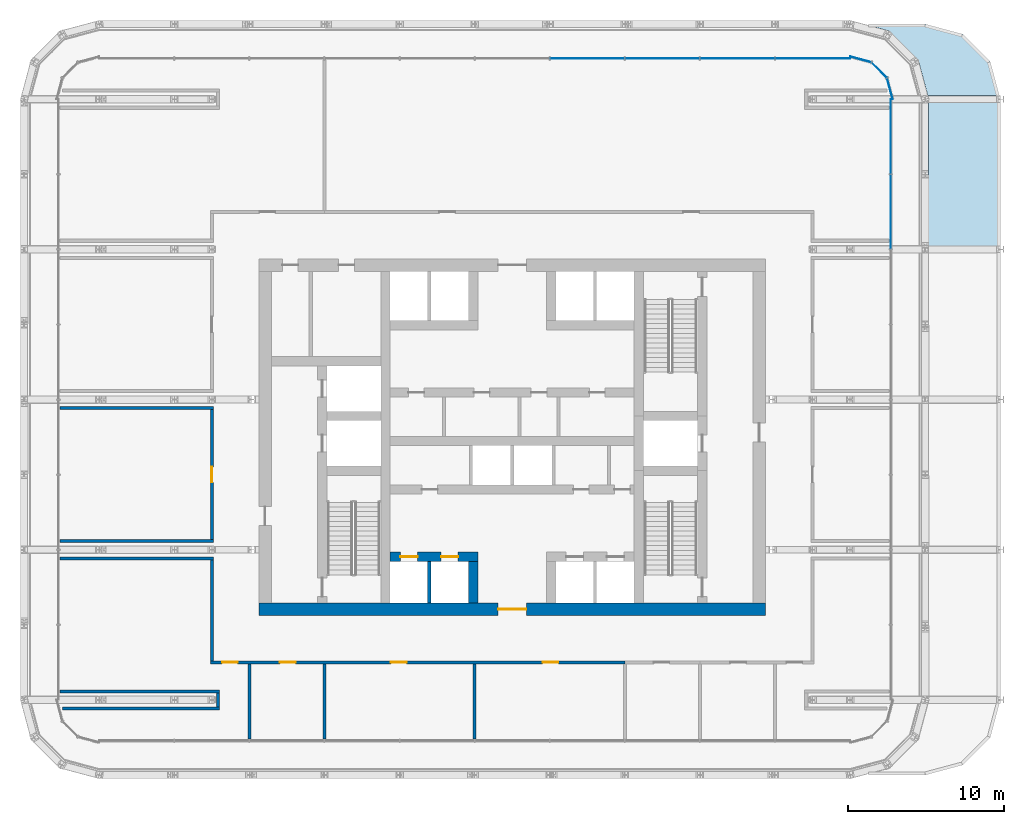
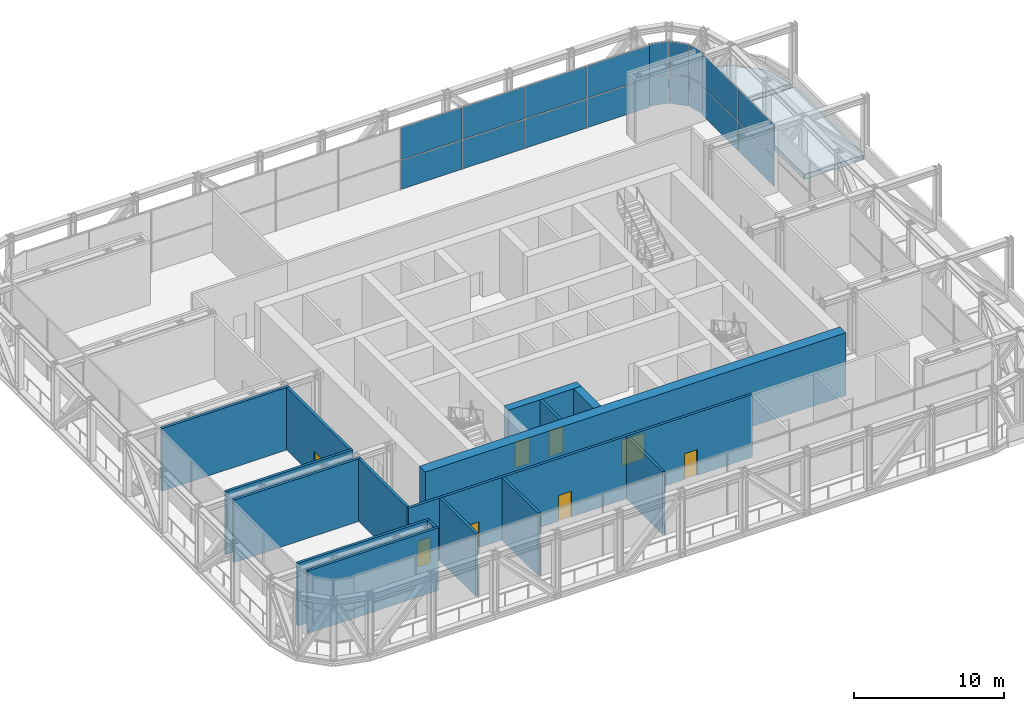
# One storey, part 16 of 25: 18 plates, 16 walls, 8 doors, 2 slabs, 8 openings, 3 elements without a shape of their own.
"""IFC4 building model written with IfcOpenShell, lengths in metres."""

from ifc_helpers import new_model, si_unit, direction, frame, frame_2d, origin, origin_2d, place, context, subcontext, project, spatial, polyline, rectangle, outline, extrude, material, layer, layer_set, type_object, element, fill, aggregate, save


model = new_model("IFC4")

# Units and contexts
model_context = context("Model", 3, precision=1e-05, world=origin(), true_north=direction((0.0, 1.0)))
body_context = subcontext(model_context, "Body", "Model", "MODEL_VIEW")
ifc_project = project(units=[si_unit("LENGTHUNIT", "METRE"), si_unit("AREAUNIT", "SQUARE_METRE"), si_unit("VOLUMEUNIT", "CUBIC_METRE"), si_unit("PLANEANGLEUNIT", "RADIAN"), si_unit("MASSUNIT", "GRAM", prefix="KILO")], contexts=[model_context])

# Site, building, storey
site_placement = place(None, origin())
site = spatial("IfcSite", under=ifc_project, at=site_placement, CompositionType="ELEMENT")
building_placement = place(site_placement, origin())
building = spatial("IfcBuilding", under=site, at=building_placement, Name="Madar Terraces", CompositionType="ELEMENT")
storey_placement = place(building_placement, frame((0.0, 0.0, 113.699951171875)))
storey = spatial("IfcBuildingStorey", under=building, at=storey_placement, Name="L29", CompositionType="ELEMENT", Elevation=113.699951171875)

# Curtain wall, plates
ifc_material_1 = material(Name="Glass, ceramic frit dark grey, with black aluminium frame", Category="aluminium")
ifc_layer_1 = layer(ifc_material_1, 0.199951171875)
ifc_layer_set_1 = layer_set([ifc_layer_1], Name="Facade curtain wall, tall glazing")
curtain_wall_type = type_object("IfcCurtainWallType", Name="Facade curtain wall, tall glazing", PredefinedType="NOTDEFINED", material=ifc_layer_set_1)
curtain_wall_1_placement = place(storey_placement, origin())
curtain_wall_1 = element("IfcCurtainWall", 1, at=curtain_wall_1_placement, inside=storey, type_object=curtain_wall_type, Name="Outer skin curtain wall east bay 1", PredefinedType="NOTDEFINED")
ifc_material_2 = material(Name="Glass, ceramic frit dark grey", Category="glass")
ifc_layer_2 = layer(ifc_material_2, 0.028076171875)
ifc_layer_set_2 = layer_set([ifc_layer_2], Name="Facade glass panel 28")
plate_type = type_object("IfcPlateType", Name="Facade glass panel 28", PredefinedType="CURTAIN_PANEL", material=ifc_layer_set_2)
plate_1_placement = place(storey_placement, frame((55.39990234375, 40.800048828125, 0.0), z_axis=(0.0, 0.0, 1.0), x_axis=(0.0, 1.0, 0.0)))
plate_1 = element("IfcPlate", 2, at=plate_1_placement, type_object=plate_type, Name="Panel 13", PredefinedType="CURTAIN_PANEL", context=body_context, shape_type="SweptSolid", body=[
    extrude(rectangle(XDim=4.739990234375, YDim=0.028076171875, at=origin_2d()), origin(), (0.0, 0.0, 1.0), 2.3701171875),
])
plate_2_placement = place(storey_placement, frame((55.39990234375, 40.800048828125, 2.43017578125), z_axis=(0.0, 0.0, 1.0), x_axis=(0.0, 1.0, 0.0)))
plate_2 = element("IfcPlate", 3, at=plate_2_placement, type_object=plate_type, Name="Panel 14", PredefinedType="CURTAIN_PANEL", context=body_context, shape_type="SweptSolid", body=[
    extrude(rectangle(XDim=4.739990234375, YDim=0.028076171875, at=origin_2d()), origin(), (0.0, 0.0, 1.0), 2.610107421875),
])
plate_3_placement = place(storey_placement, frame((55.39990234375, 45.614990234375, 0.0), z_axis=(0.0, 0.0, 1.0), x_axis=(0.0, 1.0, 0.0)))
plate_3 = element("IfcPlate", 4, at=plate_3_placement, type_object=plate_type, Name="Panel 15", PredefinedType="CURTAIN_PANEL", context=body_context, shape_type="SweptSolid", body=[
    extrude(rectangle(XDim=4.77001953125, YDim=0.028076171875, at=origin_2d()), origin(), (0.0, 0.0, 1.0), 2.3701171875),
])
plate_4_placement = place(storey_placement, frame((55.39990234375, 45.614990234375, 2.43017578125), z_axis=(0.0, 0.0, 1.0), x_axis=(0.0, 1.0, 0.0)))
plate_4 = element("IfcPlate", 5, at=plate_4_placement, type_object=plate_type, Name="Panel 16", PredefinedType="CURTAIN_PANEL", context=body_context, shape_type="SweptSolid", body=[
    extrude(rectangle(XDim=4.77001953125, YDim=0.028076171875, at=origin_2d()), origin(), (0.0, 0.0, 1.0), 2.610107421875),
])
aggregate(curtain_wall_1, [plate_1, plate_2, plate_3, plate_4])

curtain_wall_2_placement = place(storey_placement, origin())
curtain_wall_2 = element("IfcCurtainWall", 6, at=curtain_wall_2_placement, inside=storey, type_object=curtain_wall_type, Name="Outer skin curtain wall north bay 1", PredefinedType="NOTDEFINED")
plate_5_placement = place(storey_placement, frame((50.4150390625, 50.60009765625, 0.0), z_axis=(0.0, 0.0, 1.0), x_axis=(-1.0, 0.0, 0.0)))
plate_5 = element("IfcPlate", 7, at=plate_5_placement, type_object=plate_type, Name="Panel 1", PredefinedType="CURTAIN_PANEL", context=body_context, shape_type="SweptSolid", body=[
    extrude(rectangle(XDim=4.77001953125, YDim=0.028076171875, at=origin_2d()), origin(), (0.0, 0.0, 1.0), 2.3701171875),
])
plate_6_placement = place(storey_placement, frame((50.4150390625, 50.60009765625, 2.43017578125), z_axis=(0.0, 0.0, 1.0), x_axis=(-1.0, 0.0, 0.0)))
plate_6 = element("IfcPlate", 8, at=plate_6_placement, type_object=plate_type, Name="Panel 2", PredefinedType="CURTAIN_PANEL", context=body_context, shape_type="SweptSolid", body=[
    extrude(rectangle(XDim=4.77001953125, YDim=0.028076171875, at=origin_2d()), origin(), (0.0, 0.0, 1.0), 2.610107421875),
])
plate_7_placement = place(storey_placement, frame((45.60009765625, 50.60009765625, 0.0), z_axis=(0.0, 0.0, 1.0), x_axis=(-1.0, 0.0, 0.0)))
plate_7 = element("IfcPlate", 9, at=plate_7_placement, type_object=plate_type, Name="Panel 3", PredefinedType="CURTAIN_PANEL", context=body_context, shape_type="SweptSolid", body=[
    extrude(rectangle(XDim=4.739990234375, YDim=0.028076171875, at=origin_2d()), origin(), (0.0, 0.0, 1.0), 2.3701171875),
])
plate_8_placement = place(storey_placement, frame((45.60009765625, 50.60009765625, 2.43017578125), z_axis=(0.0, 0.0, 1.0), x_axis=(-1.0, 0.0, 0.0)))
plate_8 = element("IfcPlate", 10, at=plate_8_placement, type_object=plate_type, Name="Panel 4", PredefinedType="CURTAIN_PANEL", context=body_context, shape_type="SweptSolid", body=[
    extrude(rectangle(XDim=4.739990234375, YDim=0.028076171875, at=origin_2d()), origin(), (0.0, 0.0, 1.0), 2.610107421875),
])
plate_9_placement = place(storey_placement, frame((40.800048828125, 50.60009765625, 0.0), z_axis=(0.0, 0.0, 1.0), x_axis=(-1.0, 0.0, 0.0)))
plate_9 = element("IfcPlate", 11, at=plate_9_placement, type_object=plate_type, Name="Panel 5", PredefinedType="CURTAIN_PANEL", context=body_context, shape_type="SweptSolid", body=[
    extrude(rectangle(XDim=4.739990234375, YDim=0.028076171875, at=origin_2d()), origin(), (0.0, 0.0, 1.0), 2.3701171875),
])
plate_10_placement = place(storey_placement, frame((40.800048828125, 50.60009765625, 2.43017578125), z_axis=(0.0, 0.0, 1.0), x_axis=(-1.0, 0.0, 0.0)))
plate_10 = element("IfcPlate", 12, at=plate_10_placement, type_object=plate_type, Name="Panel 6", PredefinedType="CURTAIN_PANEL", context=body_context, shape_type="SweptSolid", body=[
    extrude(rectangle(XDim=4.739990234375, YDim=0.028076171875, at=origin_2d()), origin(), (0.0, 0.0, 1.0), 2.610107421875),
])
plate_11_placement = place(storey_placement, frame((36.0, 50.60009765625, 0.0), z_axis=(0.0, 0.0, 1.0), x_axis=(-1.0, 0.0, 0.0)))
plate_11 = element("IfcPlate", 13, at=plate_11_placement, type_object=plate_type, Name="Panel 7", PredefinedType="CURTAIN_PANEL", context=body_context, shape_type="SweptSolid", body=[
    extrude(rectangle(XDim=4.739990234375, YDim=0.028076171875, at=origin_2d()), origin(), (0.0, 0.0, 1.0), 2.3701171875),
])
plate_12_placement = place(storey_placement, frame((36.0, 50.60009765625, 2.43017578125), z_axis=(0.0, 0.0, 1.0), x_axis=(-1.0, 0.0, 0.0)))
plate_12 = element("IfcPlate", 14, at=plate_12_placement, type_object=plate_type, Name="Panel 8", PredefinedType="CURTAIN_PANEL", context=body_context, shape_type="SweptSolid", body=[
    extrude(rectangle(XDim=4.739990234375, YDim=0.028076171875, at=origin_2d()), origin(), (0.0, 0.0, 1.0), 2.610107421875),
])
aggregate(curtain_wall_2, [plate_5, plate_6, plate_7, plate_8, plate_9, plate_10, plate_11, plate_12])

curtain_wall_3_placement = place(storey_placement, origin())
curtain_wall_3 = element("IfcCurtainWall", 15, at=curtain_wall_3_placement, inside=storey, type_object=curtain_wall_type, Name="Outer skin curtain wall north-east corner", PredefinedType="NOTDEFINED")
plate_13_placement = place(storey_placement, frame((55.341796875, 48.66552734375, 0.0), z_axis=(0.0, 0.0, 1.0), x_axis=(-0.258819110244, 0.965925808834, 0.0)))
plate_13 = element("IfcPlate", 16, at=plate_13_placement, type_object=plate_type, Name="Panel 1", PredefinedType="CURTAIN_PANEL", context=body_context, shape_type="SweptSolid", body=[
    extrude(rectangle(XDim=1.3779296875, YDim=0.028076171875, at=origin_2d()), origin(), (0.0, 0.0, 1.0), 2.3701171875),
])
plate_14_placement = place(storey_placement, frame((55.341796875, 48.66552734375, 2.43017578125), z_axis=(0.0, 0.0, 1.0), x_axis=(-0.258819110244, 0.965925808834, 0.0)))
plate_14 = element("IfcPlate", 17, at=plate_14_placement, type_object=plate_type, Name="Panel 2", PredefinedType="CURTAIN_PANEL", context=body_context, shape_type="SweptSolid", body=[
    extrude(rectangle(XDim=1.3779296875, YDim=0.028076171875, at=origin_2d()), origin(), (0.0, 0.0, 1.0), 2.610107421875),
])
plate_15_placement = place(storey_placement, frame((54.65771484375, 49.85791015625, 0.0), z_axis=(0.0, 0.0, 1.0), x_axis=(-0.707106781187, 0.707106781187, 0.0)))
plate_15 = element("IfcPlate", 18, at=plate_15_placement, type_object=plate_type, Name="Panel 3", PredefinedType="CURTAIN_PANEL", context=body_context, shape_type="SweptSolid", body=[
    extrude(rectangle(XDim=1.347900390625, YDim=0.028076171875, at=origin_2d()), origin(), (0.0, 0.0, 1.0), 2.3701171875),
])
plate_16_placement = place(storey_placement, frame((54.65771484375, 49.85791015625, 2.43017578125), z_axis=(0.0, 0.0, 1.0), x_axis=(-0.707106781187, 0.707106781187, 0.0)))
plate_16 = element("IfcPlate", 19, at=plate_16_placement, type_object=plate_type, Name="Panel 4", PredefinedType="CURTAIN_PANEL", context=body_context, shape_type="SweptSolid", body=[
    extrude(rectangle(XDim=1.347900390625, YDim=0.028076171875, at=origin_2d()), origin(), (0.0, 0.0, 1.0), 2.610107421875),
])
plate_17_placement = place(storey_placement, frame((53.465576171875, 50.541748046875, 0.0), z_axis=(0.0, 0.0, 1.0), x_axis=(-0.965925808834, 0.258819110244, 0.0)))
plate_17 = element("IfcPlate", 20, at=plate_17_placement, type_object=plate_type, Name="Panel 5", PredefinedType="CURTAIN_PANEL", context=body_context, shape_type="SweptSolid", body=[
    extrude(rectangle(XDim=1.3779296875, YDim=0.028076171875, at=origin_2d()), origin(), (0.0, 0.0, 1.0), 2.3701171875),
])
plate_18_placement = place(storey_placement, frame((53.465576171875, 50.541748046875, 2.43017578125), z_axis=(0.0, 0.0, 1.0), x_axis=(-0.965925808834, 0.258819110244, 0.0)))
plate_18 = element("IfcPlate", 21, at=plate_18_placement, type_object=plate_type, Name="Panel 6", PredefinedType="CURTAIN_PANEL", context=body_context, shape_type="SweptSolid", body=[
    extrude(rectangle(XDim=1.3779296875, YDim=0.028076171875, at=origin_2d()), origin(), (0.0, 0.0, 1.0), 2.610107421875),
])
aggregate(curtain_wall_3, [plate_13, plate_14, plate_15, plate_16, plate_17, plate_18])

# Slabs
ifc_material_3 = material(Name="Concrete C50/60", Category="concrete")
ifc_layer_3 = layer(ifc_material_3, 0.39990234375)
ifc_layer_set_3 = layer_set([ifc_layer_3], Name="TS1 PT terrace slab 400")
slab_type = type_object("IfcSlabType", Name="TS1 PT terrace slab 400", PredefinedType="FLOOR", material=ifc_layer_set_3)
slab_1_placement = place(storey_placement, frame((0.0, 0.0, -0.39990234375)))
element("IfcSlab", 22, at=slab_1_placement, inside=storey, type_object=slab_type, Name="Terrace roof slab L29 (2)", PredefinedType="FLOOR", context=body_context, shape_type="SweptSolid", body=[
    extrude(outline(polyline([(54.020751953125, 52.70166015625), (55.313232421875, 52.35546875), (55.314453125, 52.35498046875), (55.3154296875, 52.35400390625), (57.154052734375, 50.515380859375), (57.155029296875, 50.514404296875), (57.1552734375, 50.51318359375), (57.759521484375, 48.258056640625), (57.76123046875, 48.253173828125), (57.76318359375, 48.24853515625), (57.765625, 48.244140625), (57.7685546875, 48.240234375), (57.77197265625, 48.236328125), (57.775634765625, 48.23291015625), (57.779541015625, 48.229736328125), (57.78369140625, 48.227294921875), (57.788330078125, 48.22509765625), (57.79296875, 48.22314453125), (57.7978515625, 48.221923828125), (57.802978515625, 48.22119140625), (57.807861328125, 48.220947265625), (62.275634765625, 48.220947265625), (62.280517578125, 48.22119140625), (62.28515625, 48.221923828125), (62.289794921875, 48.22314453125), (62.29443359375, 48.224609375), (62.298828125, 48.2265625), (62.302978515625, 48.22900390625), (62.306884765625, 48.23193359375), (62.310546875, 48.235107421875), (62.313720703125, 48.23876953125), (62.316650390625, 48.242431640625), (62.3193359375, 48.24658203125), (62.321533203125, 48.2509765625), (62.3232421875, 48.25537109375), (62.324462890625, 48.260009765625), (62.3251953125, 48.264892578125), (62.32568359375, 48.26953125), (62.325439453125, 48.2744140625), (62.324951171875, 48.279296875), (62.323974609375, 48.283935546875), (61.760498046875, 50.386962890625), (61.7587890625, 50.39208984375), (61.756591796875, 50.396728515625), (61.75390625, 50.4013671875), (61.7509765625, 50.405517578125), (61.74755859375, 50.409423828125), (60.009521484375, 52.1474609375), (60.005615234375, 52.15087890625), (60.00146484375, 52.154052734375), (59.996826171875, 52.15673828125), (59.991943359375, 52.15869140625), (59.987060546875, 52.160400390625), (57.6064453125, 52.79833984375), (57.60205078125, 52.79931640625), (57.59765625, 52.7998046875), (57.593505859375, 52.800048828125), (54.03369140625, 52.800048828125), (54.028564453125, 52.7998046875), (54.023681640625, 52.799072265625), (54.018798828125, 52.7978515625), (54.01416015625, 52.796142578125), (54.009765625, 52.7939453125), (54.005615234375, 52.79150390625), (54.00146484375, 52.788330078125), (53.997802734375, 52.78515625), (53.99462890625, 52.78125), (53.99169921875, 52.77734375), (53.9892578125, 52.77294921875), (53.987060546875, 52.7685546875), (53.985595703125, 52.763916015625), (53.984375, 52.759033203125), (53.983642578125, 52.754150390625), (53.983642578125, 52.7490234375), (53.98388671875, 52.744140625), (53.98486328125, 52.7392578125), (53.986083984375, 52.734375), (53.98779296875, 52.729736328125), (53.989990234375, 52.725341796875), (53.99267578125, 52.72119140625), (53.995849609375, 52.71728515625), (53.999267578125, 52.713623046875), (54.0029296875, 52.71044921875), (54.007080078125, 52.70751953125), (54.011474609375, 52.705322265625), (54.015869140625, 52.703125), (54.020751953125, 52.70166015625)])), origin(), (0.0, 0.0, 1.0), 0.39990234375),
])
slab_2_placement = place(storey_placement, frame((0.0, 0.0, -0.39990234375)))
element("IfcSlab", 23, at=slab_2_placement, inside=storey, type_object=slab_type, Name="Terrace roof slab L29 (6)", PredefinedType="FLOOR", context=body_context, shape_type="SweptSolid", body=[
    extrude(outline(polyline([(62.39892578125, 38.6611328125), (62.399658203125, 38.666015625), (62.39990234375, 38.6708984375), (62.39990234375, 47.72900390625), (62.399658203125, 47.73388671875), (62.39892578125, 47.73876953125), (62.39794921875, 47.74365234375), (62.396240234375, 47.748046875), (62.39404296875, 47.752685546875), (62.3916015625, 47.7568359375), (62.388671875, 47.7607421875), (62.38525390625, 47.764404296875), (62.3818359375, 47.767578125), (62.377685546875, 47.7705078125), (62.37353515625, 47.773193359375), (62.369140625, 47.775146484375), (62.364501953125, 47.77685546875), (62.35986328125, 47.778076171875), (62.35498046875, 47.77880859375), (62.35009765625, 47.779052734375), (57.87109375, 47.779052734375), (57.865966796875, 47.77880859375), (57.861328125, 47.778076171875), (57.8564453125, 47.77685546875), (57.851806640625, 47.775146484375), (57.847412109375, 47.773193359375), (57.84326171875, 47.7705078125), (57.83935546875, 47.767578125), (57.835693359375, 47.764404296875), (57.832275390625, 47.7607421875), (57.829345703125, 47.7568359375), (57.826904296875, 47.752685546875), (57.82470703125, 47.748046875), (57.8232421875, 47.74365234375), (57.822021484375, 47.73876953125), (57.8212890625, 47.73388671875), (57.821044921875, 47.72900390625), (57.821044921875, 38.6708984375), (57.8212890625, 38.666015625), (57.822021484375, 38.6611328125), (57.8232421875, 38.656494140625), (57.82470703125, 38.65185546875), (57.826904296875, 38.6474609375), (57.829345703125, 38.643310546875), (57.832275390625, 38.63916015625), (57.835693359375, 38.6357421875), (57.83935546875, 38.63232421875), (57.84326171875, 38.62939453125), (57.847412109375, 38.626953125), (57.851806640625, 38.624755859375), (57.8564453125, 38.623046875), (57.861328125, 38.621826171875), (57.865966796875, 38.621337890625), (57.87109375, 38.62109375), (62.35009765625, 38.62109375), (62.35498046875, 38.621337890625), (62.35986328125, 38.621826171875), (62.364501953125, 38.623046875), (62.369140625, 38.624755859375), (62.37353515625, 38.626953125), (62.377685546875, 38.62939453125), (62.3818359375, 38.63232421875), (62.38525390625, 38.6357421875), (62.388671875, 38.63916015625), (62.3916015625, 38.643310546875), (62.39404296875, 38.6474609375), (62.396240234375, 38.65185546875), (62.39794921875, 38.656494140625), (62.39892578125, 38.6611328125)])), origin(), (0.0, 0.0, 1.0), 0.39990234375),
])

# Wall, openings, doors
ifc_material_4 = material(Name="Concrete C70/85", Category="concrete")
ifc_layer_4 = layer(ifc_material_4, 0.60009765625)
ifc_layer_set_4 = layer_set([ifc_layer_4], Name="Concrete C70/85 (CIW3 RC wall 600)")
wall_type_1 = type_object("IfcWallType", Name="CIW3 RC wall 600", PredefinedType="SHEAR", material=ifc_layer_set_4)
wall_1_placement = place(storey_placement, frame((23.39990234375, 18.75, 0.0), z_axis=(0.0, 0.0, 1.0), x_axis=(1.0, 0.0, 0.0)))
wall_1 = element("IfcWall", 24, at=wall_1_placement, inside=storey, type_object=wall_type_1, Name="CORE SHAFT WALL", PredefinedType="SHEAR", context=body_context, shape_type="SweptSolid", body=[
    extrude(rectangle(XDim=5.60009765625, YDim=0.60009765625, at=frame_2d((2.800048828125, 0.0))), origin(), (0.0, 0.0, 1.0), 5.10009765625),
])
opening_1_placement = place(wall_1_placement, frame((0.64990234375, 0.0, 0.0)))
opening_1 = element("IfcOpeningElement", 25, at=opening_1_placement, cuts=wall_1, Name="Opening LD", PredefinedType="OPENING", context=body_context, shape_type="SweptSolid", body=[
    extrude(rectangle(XDim=1.10009765625, YDim=2.10009765625, at=frame_2d((0.550048828125, 1.050048828125))), frame((0.0, 0.31005859375, 0.0), z_axis=(0.0, -1.0, 0.0), x_axis=(1.0, 0.0, 0.0)), (0.0, 0.0, 1.0), 0.6201171875),
])
opening_2_placement = place(wall_1_placement, frame((3.25, 0.0, 0.0)))
opening_2 = element("IfcOpeningElement", 26, at=opening_2_placement, cuts=wall_1, Name="Opening LD", PredefinedType="OPENING", context=body_context, shape_type="SweptSolid", body=[
    extrude(rectangle(XDim=1.10009765625, YDim=2.10009765625, at=frame_2d((0.550048828125, 1.050048828125))), frame((0.0, 0.31005859375, 0.0), z_axis=(0.0, -1.0, 0.0), x_axis=(1.0, 0.0, 0.0)), (0.0, 0.0, 1.0), 0.6201171875),
])
ifc_material_5 = material(Name="Stainless steel panel", Category="steel")
door_type_1 = type_object("IfcDoorType", Name="Lift landing door 1100 x 2100", OperationType="DOUBLE_DOOR_SLIDING", PredefinedType="DOOR", material=ifc_material_5)
door_1_placement = place(opening_1_placement, origin())
door_1 = element("IfcDoor", 27, at=door_1_placement, inside=storey, type_object=door_type_1, Name="LIFT LANDING DOOR", OperationType="DOUBLE_DOOR_SLIDING", OverallHeight=2.10009765625, OverallWidth=1.10009765625, PredefinedType="DOOR", context=body_context, shape_type="SweptSolid", body=[
    extrude(rectangle(XDim=1.10009765625, YDim=2.10009765625, at=frame_2d((0.550048828125, 1.050048828125))), frame((0.0, 0.02490234375, 0.0), z_axis=(0.0, -1.0, 0.0), x_axis=(1.0, 0.0, 0.0)), (0.0, 0.0, 1.0), 0.050048828125),
])
fill(opening_1, door_1)
door_2_placement = place(opening_2_placement, origin())
door_2 = element("IfcDoor", 28, at=door_2_placement, inside=storey, type_object=door_type_1, Name="LIFT LANDING DOOR", OperationType="DOUBLE_DOOR_SLIDING", OverallHeight=2.10009765625, OverallWidth=1.10009765625, PredefinedType="DOOR", context=body_context, shape_type="SweptSolid", body=[
    extrude(rectangle(XDim=1.10009765625, YDim=2.10009765625, at=frame_2d((0.550048828125, 1.050048828125))), frame((0.0, 0.02490234375, 0.0), z_axis=(0.0, -1.0, 0.0), x_axis=(1.0, 0.0, 0.0)), (0.0, 0.0, 1.0), 0.050048828125),
])
fill(opening_2, door_2)

# Wall
wall_2_placement = place(storey_placement, frame((28.699951171875, 15.800048828125, 0.0), z_axis=(0.0, 0.0, 1.0), x_axis=(0.0, 1.0, 0.0)))
element("IfcWall", 29, at=wall_2_placement, inside=storey, type_object=wall_type_1, Name="CORE SHAFT WALL", PredefinedType="SHEAR", context=body_context, shape_type="SweptSolid", body=[
    extrude(rectangle(XDim=2.64990234375, YDim=0.60009765625, at=frame_2d((1.324951171875, 0.0))), origin(), (0.0, 0.0, 1.0), 5.10009765625),
])

# Wall, opening, door
ifc_material_6 = material(Name="Concrete C70/85", Category="concrete")
ifc_layer_5 = layer(ifc_material_6, 0.800048828125)
ifc_layer_set_5 = layer_set([ifc_layer_5], Name="Concrete C70/85 (CRW3 RC wall 800)")
wall_type_2 = type_object("IfcWallType", Name="CRW3 RC wall 800", PredefinedType="SHEAR", material=ifc_layer_set_5)
wall_3_placement = place(storey_placement, frame((15.0, 15.39990234375, 0.0), z_axis=(0.0, 0.0, 1.0), x_axis=(1.0, 0.0, 0.0)))
wall_3 = element("IfcWall", 30, at=wall_3_placement, inside=storey, type_object=wall_type_2, Name="CORE OUTER WALL", PredefinedType="SHEAR", context=body_context, shape_type="SweptSolid", body=[
    extrude(rectangle(XDim=32.39990234375, YDim=0.800048828125, at=frame_2d((16.199951171875, 0.0))), origin(), (0.0, 0.0, 1.0), 5.10009765625),
])
opening_3_placement = place(wall_3_placement, frame((15.300048828125, 0.0, 0.0)))
opening_3 = element("IfcOpeningElement", 31, at=opening_3_placement, cuts=wall_3, Name="Opening KD1", PredefinedType="OPENING", context=body_context, shape_type="SweptSolid", body=[
    extrude(rectangle(XDim=1.800048828125, YDim=2.10009765625, at=frame_2d((0.89990234375, 1.050048828125))), frame((0.0, 0.409912109375, 0.0), z_axis=(0.0, -1.0, 0.0), x_axis=(1.0, 0.0, 0.0)), (0.0, 0.0, 1.0), 0.820068359375),
])
ifc_material_7 = material(Name="Steel door leaf", Category="steel")
door_type_2 = type_object("IfcDoorType", Name="Lobby door pair 1800 x 2100", OperationType="DOUBLE_DOOR_SINGLE_SWING", PredefinedType="DOOR", material=ifc_material_7)
door_3_placement = place(opening_3_placement, frame((1.800048828125, 0.0, 0.0), z_axis=(0.0, 0.0, 1.0), x_axis=(-1.0, 0.0, 0.0)))
door_3 = element("IfcDoor", 32, at=door_3_placement, inside=storey, type_object=door_type_2, Name="LIFT LOBBY DOOR", OperationType="DOUBLE_DOOR_SINGLE_SWING", OverallHeight=2.10009765625, OverallWidth=1.800048828125, PredefinedType="DOOR", context=body_context, shape_type="SweptSolid", body=[
    extrude(rectangle(XDim=1.800048828125, YDim=2.10009765625, at=frame_2d((0.89990234375, 1.050048828125))), frame((0.0, 0.02490234375, 0.0), z_axis=(0.0, -1.0, 0.0), x_axis=(1.0, 0.0, 0.0)), (0.0, 0.0, 1.0), 0.050048828125),
])
fill(opening_3, door_3)

# Walls
ifc_material_8 = material(Name="Concrete C40/50", Category="concrete")
ifc_layer_6 = layer(ifc_material_8, 0.199951171875)
ifc_layer_set_6 = layer_set([ifc_layer_6], Name="Core shaft dividing wall 200 C40/50")
wall_type_3 = type_object("IfcWallType", Name="Core shaft dividing wall 200 C40/50", PredefinedType="SOLIDWALL", material=ifc_layer_set_6)
wall_4_placement = place(storey_placement, frame((25.89990234375, 15.800048828125, 0.0), z_axis=(0.0, 0.0, 1.0), x_axis=(0.0, 1.0, 0.0)))
element("IfcWall", 33, at=wall_4_placement, inside=storey, type_object=wall_type_3, Name="SHAFT DIVIDING WALL", PredefinedType="SOLIDWALL", context=body_context, shape_type="SweptSolid", body=[
    extrude(rectangle(XDim=2.64990234375, YDim=0.199951171875, at=frame_2d((1.324951171875, 0.0))), origin(), (0.0, 0.0, 1.0), 5.10009765625),
])
ifc_material_9 = material(Name="Blockwork", Category="masonry")
ifc_layer_7 = layer(ifc_material_9, 0.199951171875)
ifc_layer_set_7 = layer_set([ifc_layer_7], Name="Partition 200 EI 120")
wall_type_4 = type_object("IfcWallType", Name="Partition 200 EI 120", PredefinedType="PARTITIONING", material=ifc_layer_set_7)
wall_5_placement = place(storey_placement, frame((2.449951171875, 9.050048828125, 0.0), z_axis=(0.0, 0.0, 1.0), x_axis=(1.0, 0.0, 0.0)))
element("IfcWall", 34, at=wall_5_placement, inside=storey, type_object=wall_type_4, Name="Wall VENTILATION PLANT ROOM / TRUSS SLOT", PredefinedType="PARTITIONING", context=body_context, shape_type="SweptSolid", body=[
    extrude(rectangle(XDim=10.050048828125, YDim=0.199951171875, at=frame_2d((5.02490234375, 0.0))), origin(), (0.0, 0.0, 1.0), 5.10009765625),
])
wall_6_placement = place(storey_placement, frame((2.300048828125, 10.14990234375, 0.0), z_axis=(0.0, 0.0, 1.0), x_axis=(1.0, 0.0, 0.0)))
element("IfcWall", 35, at=wall_6_placement, inside=storey, type_object=wall_type_4, Name="Wall VENTILATION PLANT ROOM / TRUSS SLOT", PredefinedType="PARTITIONING", context=body_context, shape_type="SweptSolid", body=[
    extrude(rectangle(XDim=10.199951171875, YDim=0.199951171875, at=frame_2d((5.10009765625, 0.0))), origin(), (0.0, 0.0, 1.0), 5.10009765625),
])

# Wall, openings, doors
wall_7_placement = place(storey_placement, frame((38.39990234375, 12.0, 0.0), z_axis=(0.0, 0.0, 1.0), x_axis=(-1.0, 0.0, 0.0)))
wall_7 = element("IfcWall", 36, at=wall_7_placement, inside=storey, type_object=wall_type_4, Name="Wall FIRE WATER TANK ROOM + PUMP PLANT ROOM", PredefinedType="PARTITIONING", context=body_context, shape_type="SweptSolid", body=[
    extrude(rectangle(XDim=26.5, YDim=0.199951171875, at=frame_2d((13.25, 0.0))), origin(), (0.0, 0.0, 1.0), 5.10009765625),
])
opening_4_placement = place(wall_7_placement, frame((24.75, 0.0, 0.0)))
opening_4 = element("IfcOpeningElement", 37, at=opening_4_placement, cuts=wall_7, Name="Opening D33", PredefinedType="OPENING", context=body_context, shape_type="SweptSolid", body=[
    extrude(rectangle(XDim=1.0, YDim=2.10009765625, at=frame_2d((0.5, 1.050048828125))), frame((0.0, 0.10986328125, 0.0), z_axis=(0.0, -1.0, 0.0), x_axis=(1.0, 0.0, 0.0)), (0.0, 0.0, 1.0), 0.219970703125),
])
opening_5_placement = place(wall_7_placement, frame((21.050048828125, 0.0, 0.0)))
opening_5 = element("IfcOpeningElement", 38, at=opening_5_placement, cuts=wall_7, Name="Opening D33", PredefinedType="OPENING", context=body_context, shape_type="SweptSolid", body=[
    extrude(rectangle(XDim=1.0, YDim=2.10009765625, at=frame_2d((0.5, 1.050048828125))), frame((0.0, 0.10986328125, 0.0), z_axis=(0.0, -1.0, 0.0), x_axis=(1.0, 0.0, 0.0)), (0.0, 0.0, 1.0), 0.219970703125),
])
opening_6_placement = place(wall_7_placement, frame((13.949951171875, 0.0, 0.0)))
opening_6 = element("IfcOpeningElement", 39, at=opening_6_placement, cuts=wall_7, Name="Opening D33", PredefinedType="OPENING", context=body_context, shape_type="SweptSolid", body=[
    extrude(rectangle(XDim=1.0, YDim=2.10009765625, at=frame_2d((0.5, 1.050048828125))), frame((0.0, 0.10986328125, 0.0), z_axis=(0.0, -1.0, 0.0), x_axis=(1.0, 0.0, 0.0)), (0.0, 0.0, 1.0), 0.219970703125),
])
opening_7_placement = place(wall_7_placement, frame((4.25, 0.0, 0.0)))
opening_7 = element("IfcOpeningElement", 40, at=opening_7_placement, cuts=wall_7, Name="Opening D33", PredefinedType="OPENING", context=body_context, shape_type="SweptSolid", body=[
    extrude(rectangle(XDim=1.0, YDim=2.10009765625, at=frame_2d((0.5, 1.050048828125))), frame((0.0, 0.10986328125, 0.0), z_axis=(0.0, -1.0, 0.0), x_axis=(1.0, 0.0, 0.0)), (0.0, 0.0, 1.0), 0.219970703125),
])
ifc_material_10 = material(Name="Timber door leaf, fire-rated", Category="wood")
door_type_3 = type_object("IfcDoorType", Name="Podium door 1000 x 2100 FD90S", OperationType="NOTDEFINED", PredefinedType="DOOR", material=ifc_material_10)
door_4_placement = place(opening_4_placement, origin())
door_4 = element("IfcDoor", 41, at=door_4_placement, inside=storey, type_object=door_type_3, Name="Door VENTILATION PLANT ROOM / RING CORRIDOR", OperationType="SINGLE_SWING_LEFT", OverallHeight=2.10009765625, OverallWidth=1.0, PredefinedType="DOOR", context=body_context, shape_type="SweptSolid", body=[
    extrude(rectangle(XDim=1.0, YDim=2.10009765625, at=frame_2d((0.5, 1.050048828125))), frame((0.0, 0.02490234375, 0.0), z_axis=(0.0, -1.0, 0.0), x_axis=(1.0, 0.0, 0.0)), (0.0, 0.0, 1.0), 0.050048828125),
])
fill(opening_4, door_4)
door_5_placement = place(opening_5_placement, origin())
door_5 = element("IfcDoor", 42, at=door_5_placement, inside=storey, type_object=door_type_3, Name="Door STORE PLANT ROOM / RING CORRIDOR", OperationType="SINGLE_SWING_LEFT", OverallHeight=2.10009765625, OverallWidth=1.0, PredefinedType="DOOR", context=body_context, shape_type="SweptSolid", body=[
    extrude(rectangle(XDim=1.0, YDim=2.10009765625, at=frame_2d((0.5, 1.050048828125))), frame((0.0, 0.02490234375, 0.0), z_axis=(0.0, -1.0, 0.0), x_axis=(1.0, 0.0, 0.0)), (0.0, 0.0, 1.0), 0.050048828125),
])
fill(opening_5, door_5)
door_6_placement = place(opening_6_placement, origin())
door_6 = element("IfcDoor", 43, at=door_6_placement, inside=storey, type_object=door_type_3, Name="Door FIRE WATER TANK ROOM / RING CORRIDOR", OperationType="SINGLE_SWING_RIGHT", OverallHeight=2.10009765625, OverallWidth=1.0, PredefinedType="DOOR", context=body_context, shape_type="SweptSolid", body=[
    extrude(rectangle(XDim=1.0, YDim=2.10009765625, at=frame_2d((0.5, 1.050048828125))), frame((0.0, 0.02490234375, 0.0), z_axis=(0.0, -1.0, 0.0), x_axis=(1.0, 0.0, 0.0)), (0.0, 0.0, 1.0), 0.050048828125),
])
fill(opening_6, door_6)
door_7_placement = place(opening_7_placement, origin())
door_7 = element("IfcDoor", 44, at=door_7_placement, inside=storey, type_object=door_type_3, Name="Door PUMP PLANT ROOM / RING CORRIDOR", OperationType="SINGLE_SWING_LEFT", OverallHeight=2.10009765625, OverallWidth=1.0, PredefinedType="DOOR", context=body_context, shape_type="SweptSolid", body=[
    extrude(rectangle(XDim=1.0, YDim=2.10009765625, at=frame_2d((0.5, 1.050048828125))), frame((0.0, 0.02490234375, 0.0), z_axis=(0.0, -1.0, 0.0), x_axis=(1.0, 0.0, 0.0)), (0.0, 0.0, 1.0), 0.050048828125),
])
fill(opening_7, door_7)

# Walls
for number, where, z_axis, x_axis, name in (
    (45, (2.300048828125, 18.64990234375, 0.0), (0.0, 0.0, 1.0), (1.0, 0.0, 0.0), "Wall VENTILATION PLANT ROOM / TRUSS SLOT"),
    (46, (2.300048828125, 19.75, 0.0), (0.0, 0.0, 1.0), (1.0, 0.0, 0.0), "Wall BOILER ROOM / TRUSS SLOT"),
    (47, (2.300048828125, 28.25, 0.0), (0.0, 0.0, 1.0), (1.0, 0.0, 0.0), "Wall BOILER ROOM / TRUSS SLOT"),
):
    element("IfcWall", number, at=place(storey_placement, frame(where, z_axis=z_axis, x_axis=x_axis)), inside=storey, type_object=wall_type_4, Name=name, PredefinedType="PARTITIONING", context=body_context, shape_type="SweptSolid", body=[
        extrude(rectangle(XDim=9.800048828125, YDim=0.199951171875, at=frame_2d((4.89990234375, 0.0))), origin(), (0.0, 0.0, 1.0), 5.10009765625),
    ])
wall_8_placement = place(storey_placement, frame((12.0, 12.10009765625, 0.0), z_axis=(0.0, 0.0, 1.0), x_axis=(0.0, 1.0, 0.0)))
element("IfcWall", 48, at=wall_8_placement, inside=storey, type_object=wall_type_4, Name="Wall VENTILATION PLANT ROOM / RING CORRIDOR", PredefinedType="PARTITIONING", context=body_context, shape_type="SweptSolid", body=[
    extrude(rectangle(XDim=6.449951171875, YDim=0.199951171875, at=frame_2d((3.22509765625, 0.0))), origin(), (0.0, 0.0, 1.0), 5.10009765625),
])

# Wall, opening, door
wall_9_placement = place(storey_placement, frame((12.0, 19.85009765625, 0.0), z_axis=(0.0, 0.0, 1.0), x_axis=(0.0, 1.0, 0.0)))
wall_9 = element("IfcWall", 49, at=wall_9_placement, inside=storey, type_object=wall_type_4, Name="Wall BOILER ROOM / RING CORRIDOR", PredefinedType="PARTITIONING", context=body_context, shape_type="SweptSolid", body=[
    extrude(rectangle(XDim=8.2998046875, YDim=0.199951171875, at=frame_2d((4.14990234375, 0.0))), origin(), (0.0, 0.0, 1.0), 5.10009765625),
])
opening_8_placement = place(wall_9_placement, frame((3.64990234375, 0.0, 0.0)))
opening_8 = element("IfcOpeningElement", 50, at=opening_8_placement, cuts=wall_9, Name="Opening D33", PredefinedType="OPENING", context=body_context, shape_type="SweptSolid", body=[
    extrude(rectangle(XDim=1.0, YDim=2.10009765625, at=frame_2d((0.5, 1.050048828125))), frame((0.0, 0.10986328125, 0.0), z_axis=(0.0, -1.0, 0.0), x_axis=(1.0, 0.0, 0.0)), (0.0, 0.0, 1.0), 0.219970703125),
])
door_8_placement = place(opening_8_placement, origin())
door_8 = element("IfcDoor", 51, at=door_8_placement, inside=storey, type_object=door_type_3, Name="Door BOILER ROOM / RING CORRIDOR", OperationType="SINGLE_SWING_LEFT", OverallHeight=2.10009765625, OverallWidth=1.0, PredefinedType="DOOR", context=body_context, shape_type="SweptSolid", body=[
    extrude(rectangle(XDim=1.0, YDim=2.10009765625, at=frame_2d((0.5, 1.050048828125))), frame((0.0, 0.02490234375, 0.0), z_axis=(0.0, -1.0, 0.0), x_axis=(1.0, 0.0, 0.0)), (0.0, 0.0, 1.0), 0.050048828125),
])
fill(opening_8, door_8)

# Walls
wall_10_placement = place(storey_placement, frame((12.39990234375, 9.14990234375, 0.0), z_axis=(0.0, 0.0, 1.0), x_axis=(0.0, 1.0, 0.0)))
element("IfcWall", 52, at=wall_10_placement, inside=storey, type_object=wall_type_4, Name="Wall VENTILATION PLANT ROOM / TRUSS SLOT", PredefinedType="PARTITIONING", context=body_context, shape_type="SweptSolid", body=[
    extrude(rectangle(XDim=0.900146484375, YDim=0.199951171875, at=frame_2d((0.4501953125, 0.0))), origin(), (0.0, 0.0, 1.0), 5.10009765625),
])
for number, where, z_axis, x_axis, name in (
    (53, (14.39990234375, 7.10009765625, 0.0), (0.0, 0.0, 1.0), (0.0, 1.0, 0.0), "Wall VENTILATION PLANT ROOM / STORE PLANT ROOM"),
    (54, (19.199951171875, 7.10009765625, 0.0), (0.0, 0.0, 1.0), (0.0, 1.0, 0.0), "Wall STORE PLANT ROOM / FIRE WATER TANK ROOM"),
    (55, (28.800048828125, 7.10009765625, 0.0), (0.0, 0.0, 1.0), (0.0, 1.0, 0.0), "Wall FIRE WATER TANK ROOM / PUMP PLANT ROOM"),
):
    element("IfcWall", number, at=place(storey_placement, frame(where, z_axis=z_axis, x_axis=x_axis)), inside=storey, type_object=wall_type_4, Name=name, PredefinedType="PARTITIONING", context=body_context, shape_type="SweptSolid", body=[
        extrude(rectangle(XDim=4.7998046875, YDim=0.199951171875, at=frame_2d((2.39990234375, 0.0))), origin(), (0.0, 0.0, 1.0), 5.10009765625),
    ])

save(model, "model.ifc")
